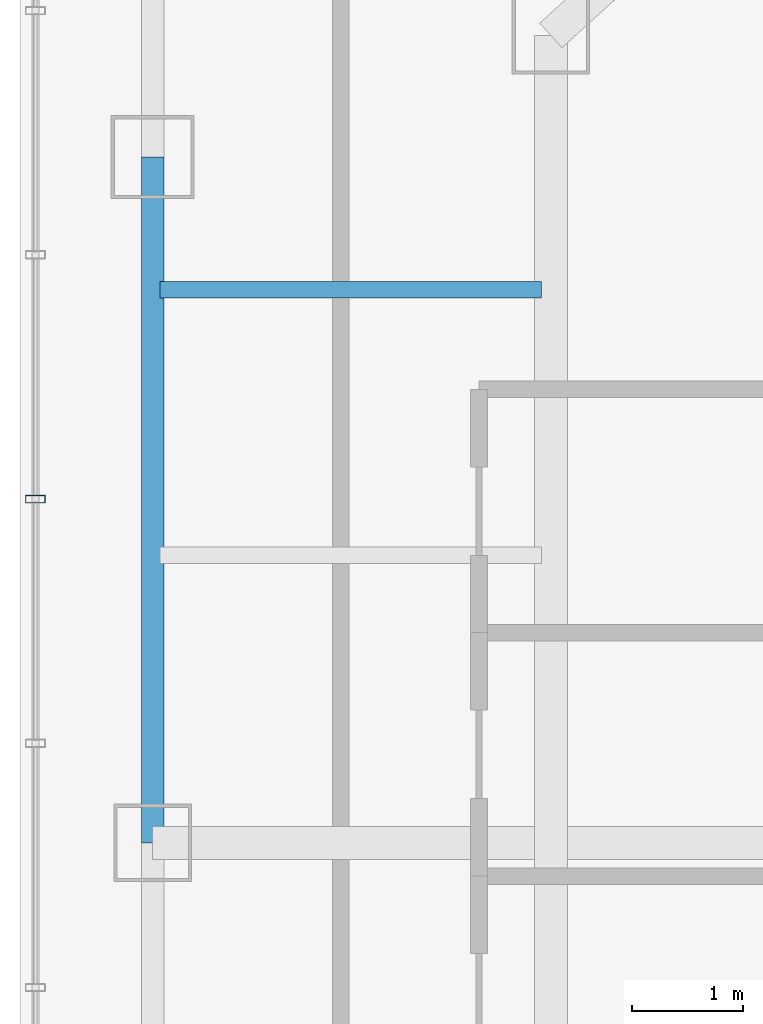
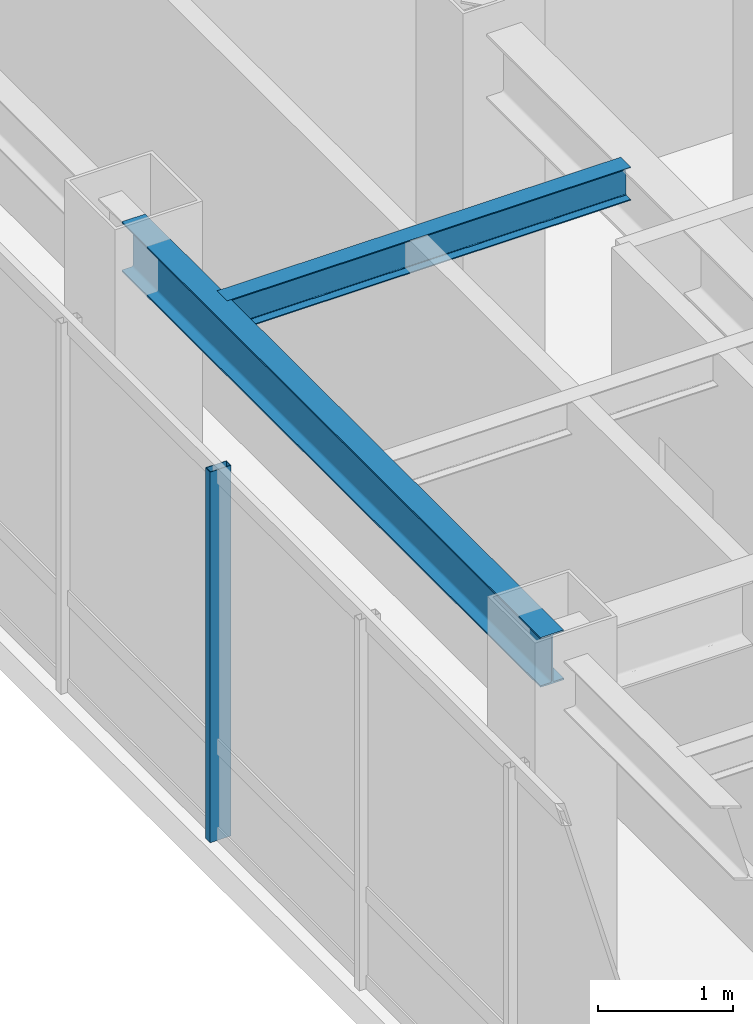
# One storey, part 8 of 24: 2 beams, 1 member, 1 element without a shape of its own.
"""IFC4 building model written with IfcOpenShell, lengths in metres."""

from ifc_helpers import new_model, si_unit, direction, frame, origin, origin_2d, place, context, subcontext, project, spatial, hollow_rectangle, i_section, extrude, material, layer, layer_set, material_profile, profile_set, type_object, element, aggregate, save


model = new_model("IFC4")

# Units and contexts
model_context = context("Model", 3, precision=1e-05, world=origin(), true_north=direction((0.0, 1.0)))
body_context = subcontext(model_context, "Body", "Model", "MODEL_VIEW")
ifc_project = project(units=[si_unit("LENGTHUNIT", "METRE"), si_unit("AREAUNIT", "SQUARE_METRE"), si_unit("VOLUMEUNIT", "CUBIC_METRE"), si_unit("PLANEANGLEUNIT", "RADIAN"), si_unit("MASSUNIT", "GRAM", prefix="KILO")], contexts=[model_context])

# Site, building, storey
site_placement = place(None, origin())
site = spatial("IfcSite", under=ifc_project, at=site_placement, CompositionType="ELEMENT")
building_placement = place(site_placement, origin())
building = spatial("IfcBuilding", under=site, at=building_placement, Name="Hatsunagi Terrace Concourse", CompositionType="ELEMENT")
storey_placement = place(building_placement, frame((0.0, 0.0, 191.550048828125)))
storey = spatial("IfcBuildingStorey", under=building, at=storey_placement, Name="L50", CompositionType="ELEMENT", Elevation=191.550048828125)

# Curtain wall, member
ifc_material_1 = material(Name="Anodised Aluminium Alloy 6063-T5", Category="aluminium")
ifc_layer = layer(ifc_material_1, 0.199951171875)
ifc_layer_set = layer_set([ifc_layer], Name="OfficeZone2_CW04")
curtain_wall_type = type_object("IfcCurtainWallType", Name="OfficeZone2_CW04", PredefinedType="NOTDEFINED", material=ifc_layer_set)
curtain_wall_placement = place(storey_placement, origin())
curtain_wall = element("IfcCurtainWall", 1, at=curtain_wall_placement, inside=storey, type_object=curtain_wall_type, Name="Unitised Curtain Wall CW-04 CW-L50-08", PredefinedType="NOTDEFINED")
ifc_material_2 = material(Name="Anodised Aluminium Alloy 6063-T5", Category="aluminium")
ifc_material_profile_1 = material_profile(ifc_material_2, hollow_rectangle(XDim=0.070068359375, YDim=0.179931640625, WallThickness=0.00390625, at=origin_2d()), Name="ALU-MUL-180x70x4")
ifc_profile_set_1 = profile_set([ifc_material_profile_1], Name="Anodised Aluminium Alloy 6063-T5")
member_type = type_object("IfcMemberType", Name="CurtainWallMullion_180x70", PredefinedType="MULLION", material=ifc_profile_set_1)
member_placement = place(storey_placement, frame((18.139892578125, 39.10791015625, 0.0), z_axis=(0.0, 0.0, 1.0), x_axis=(0.0, 1.0, 0.0)))
member = element("IfcMember", 2, at=member_placement, type_object=member_type, Name="Curtain Wall Mullion MUL-02", PredefinedType="MULLION", context=body_context, shape_type="SweptSolid", body=[
    extrude(hollow_rectangle(XDim=0.070068359375, YDim=0.179931640625, WallThickness=0.00390625, at=origin_2d()), origin(), (0.0, 0.0, 1.0), 3.349853515625),
])
aggregate(curtain_wall, [member])

# Beams
ifc_material_3 = material(Name="Steel SN490B", Category="steel")
ifc_material_profile_2 = material_profile(ifc_material_3, i_section(OverallWidth=0.14990234375, OverallDepth=0.300048828125, WebThickness=0.006591796875, FlangeThickness=0.009033203125, FilletRadius=0.010986328125, at=origin_2d()), Name="H-300x150x6.5x9")
ifc_profile_set_2 = profile_set([ifc_material_profile_2], Name="Steel SN490B")
beam_type_1 = type_object("IfcBeamType", Name="OfficeJoist_H_300x150", PredefinedType="JOIST", material=ifc_profile_set_2)
beam_1_placement = place(storey_placement, frame((19.264892578125, 41.0, 3.199951171875), z_axis=(1.0, 0.0, 0.0), x_axis=(0.0, 1.0, 0.0)))
element("IfcBeam", 3, at=beam_1_placement, inside=storey, type_object=beam_type_1, Name="Beam J-03 J-L50-W-19-410", PredefinedType="JOIST", context=body_context, shape_type="SweptSolid", body=[
    extrude(i_section(OverallWidth=0.14990234375, OverallDepth=0.300048828125, WebThickness=0.006591796875, FlangeThickness=0.009033203125, FilletRadius=0.010986328125, at=origin_2d()), origin(), (0.0, 0.0, 1.0), 3.4501953125),
])
ifc_material_4 = material(Name="Steel SN490B", Category="steel")
ifc_material_profile_3 = material_profile(ifc_material_4, i_section(OverallWidth=0.199951171875, OverallDepth=0.449951171875, WebThickness=0.009033203125, FlangeThickness=0.013916015625, FilletRadius=0.01611328125, at=origin_2d()), Name="H-450x200x9x14")
ifc_profile_set_3 = profile_set([ifc_material_profile_3], Name="Steel SN490B")
beam_type_2 = type_object("IfcBeamType", Name="PerimeterSpandrel_H_450x200", PredefinedType="SPANDREL", material=ifc_profile_set_3)
beam_2_placement = place(storey_placement, frame((19.199951171875, 36.0, 3.125), z_axis=(0.0, 1.0, 0.0), x_axis=(-1.0, 0.0, 0.0)))
element("IfcBeam", 4, at=beam_2_placement, inside=storey, type_object=beam_type_2, Name="Beam SP-02 BM-L50-NS-19-36", PredefinedType="SPANDREL", context=body_context, shape_type="SweptSolid", body=[
    extrude(i_section(OverallWidth=0.199951171875, OverallDepth=0.449951171875, WebThickness=0.009033203125, FlangeThickness=0.013916015625, FilletRadius=0.01611328125, at=origin_2d()), origin(), (0.0, 0.0, 1.0), 6.199951171875),
])

save(model, "model.ifc")
